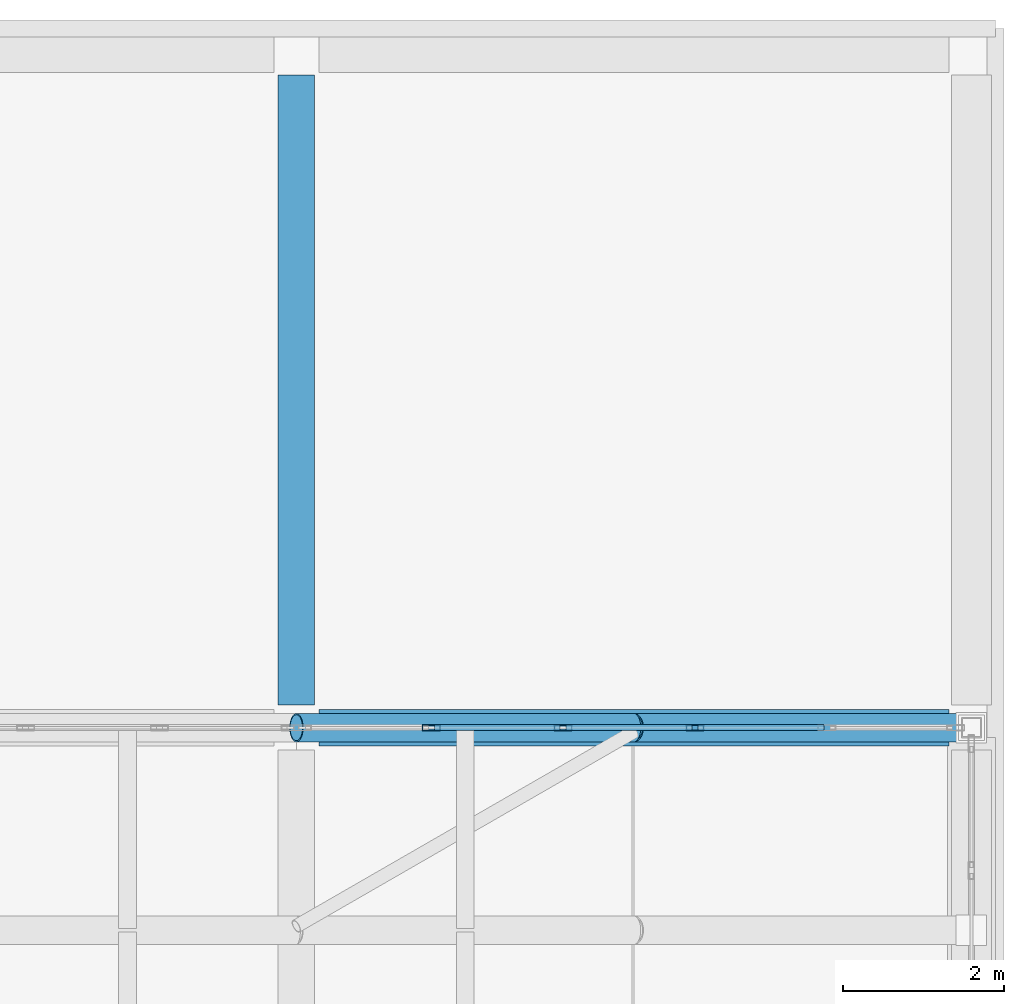
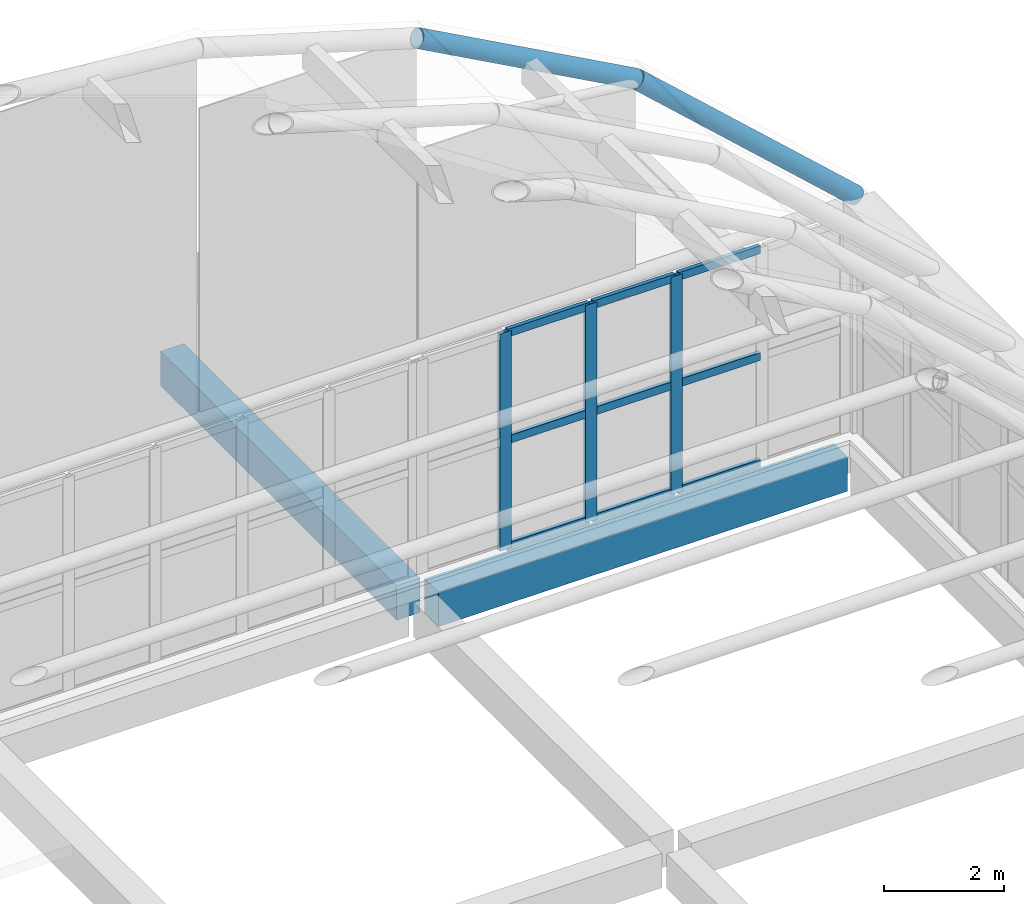
# One storey, part 19 of 26: 12 members, 4 beams, 1 element without a shape of its own.
"""IFC4 building model written with IfcOpenShell, lengths in metres."""

import ifcopenshell
import ifcopenshell.guid

model = None  # the IFC model being written
_history = None  # IfcOwnerHistory: only IFC2X3 demands one
_inside = {}  # id of a spatial element -> (the spatial element, [elements in it])
_under = {}  # id of a project, library or spatial element -> (it, [spatial elements below it])
_declared = {}  # id of a project -> (the project, [libraries it declares])
_typed = {}  # id of a type object -> (the type object, [elements of that type])
_made_of = {}  # id of a material, layer set ... -> (it, [elements and type objects made of it])


def new_model(schema):
    """Start an empty IFC model of exactly this schema.

    Asked for "IFC4X3", IfcOpenShell would pick the latest addendum, in which some entities
    have other attributes; the version numbers below select the first issue.
    IFC2X3 requires an IfcOwnerHistory on every rooted entity: one is made here for all.
    """
    global model, _history
    if schema == "IFC4X3":
        model = ifcopenshell.file(schema_version=(4, 3, 0, 0))
    else:
        model = ifcopenshell.file(schema=schema)
    _inside.clear()
    _under.clear()
    _declared.clear()
    _typed.clear()
    _made_of.clear()
    _history = None
    if model.schema == "IFC2X3":
        org = make("IfcOrganization", Name="unknown")
        user = make(
            "IfcPersonAndOrganization",
            ThePerson=make("IfcPerson", FamilyName="unknown"),
            TheOrganization=org,
        )
        app = make(
            "IfcApplication",
            ApplicationDeveloper=org,
            Version="unknown",
            ApplicationFullName="unknown",
            ApplicationIdentifier="unknown",
        )
        _history = make(
            "IfcOwnerHistory",
            OwningUser=user,
            OwningApplication=app,
            ChangeAction="ADDED",
            CreationDate=0,
        )
    return model


def make(cls, **values):
    """One entity of the class cls with the attributes given. An attribute that is None is left unset."""
    return model.create_entity(
        cls, **{name: value for name, value in values.items() if value is not None}
    )


def rooted(cls, **values):
    """An entity with a GlobalId (a new one), such as an element, a storey or a relation."""
    return make(cls, GlobalId=ifcopenshell.guid.new(), OwnerHistory=_history, **values)


def si_unit(unit_type, name, prefix=None):
    """IfcSIUnit, for example si_unit("LENGTHUNIT", "METRE", prefix="MILLI")."""
    return make("IfcSIUnit", UnitType=unit_type, Prefix=prefix, Name=name)


def assignment(units):
    """IfcUnitAssignment: the units of a project."""
    return None if units is None else make("IfcUnitAssignment", Units=units)


def point(xyz):
    """IfcCartesianPoint."""
    return None if xyz is None else make("IfcCartesianPoint", Coordinates=xyz)


def direction(xyz):
    """IfcDirection."""
    return None if xyz is None else make("IfcDirection", DirectionRatios=xyz)


def frame(location, z_axis=None, x_axis=None):
    """IfcAxis2Placement3D, a coordinate frame: its origin and axes. An axis left out is left unset."""
    return make(
        "IfcAxis2Placement3D",
        Location=point(location),
        Axis=direction(z_axis),
        RefDirection=direction(x_axis),
    )


def frame_2d(location, x_axis=None):
    """IfcAxis2Placement2D, a coordinate frame in the plane: its origin and x axis."""
    return make(
        "IfcAxis2Placement2D", Location=point(location), RefDirection=direction(x_axis)
    )


def origin():
    """The frame at (0, 0, 0) with its axes left unset."""
    return frame((0.0, 0.0, 0.0))


def origin_2d():
    """The frame at (0, 0) in the plane with its x axis left unset."""
    return frame_2d((0.0, 0.0))


def place(relative_to, where):
    """IfcLocalPlacement: puts the frame where relative to a parent placement (None: the world)."""
    return make(
        "IfcLocalPlacement", PlacementRelTo=relative_to, RelativePlacement=where
    )


def context(
    kind, dimensions, precision=None, world=None, true_north=None, identifier=None
):
    """IfcGeometricRepresentationContext, for example the 3D "Model" context."""
    return make(
        "IfcGeometricRepresentationContext",
        ContextIdentifier=identifier,
        ContextType=kind,
        CoordinateSpaceDimension=dimensions,
        Precision=precision,
        WorldCoordinateSystem=world,
        TrueNorth=true_north,
    )


def subcontext(parent, identifier, kind, view, scale=None):
    """IfcGeometricRepresentationSubContext, for example "Body" below "Model"."""
    return make(
        "IfcGeometricRepresentationSubContext",
        ContextIdentifier=identifier,
        ContextType=kind,
        ParentContext=parent,
        TargetScale=scale,
        TargetView=view,
    )


def project(units=None, contexts=None):
    """IfcProject with its units and contexts."""
    return rooted(
        "IfcProject",
        Name="project",
        RepresentationContexts=contexts,
        UnitsInContext=assignment(units),
    )


def spatial(cls, under=None, at=None, **own):
    """A site, building, storey or space (cls), placed at a placement, below another one or the project."""
    s = rooted(cls, ObjectPlacement=at, **own)
    if under is not None:
        _under.setdefault(under.id(), (under, []))[1].append(s)
    return s


def profile(cls, at=None, kind="AREA", **sizes):
    """A parametric profile (cls). Its sizes go by their IFC names, for example OverallWidth=200.0."""
    return make(cls, ProfileType=kind, Position=at, **sizes)


def rectangle(**sizes):
    """IfcRectangleProfileDef."""
    return profile("IfcRectangleProfileDef", **sizes)


def hollow_rectangle(**sizes):
    """IfcRectangleHollowProfileDef."""
    return profile("IfcRectangleHollowProfileDef", **sizes)


def hollow_circle(**sizes):
    """IfcCircleHollowProfileDef."""
    return profile("IfcCircleHollowProfileDef", **sizes)


def extrude(swept, where, along, depth):
    """IfcExtrudedAreaSolid: the profile swept, set in the frame where, extruded along a direction by depth."""
    return make(
        "IfcExtrudedAreaSolid",
        SweptArea=swept,
        Position=where,
        ExtrudedDirection=direction(along),
        Depth=depth,
    )


def shape(context_of_items, identifier, shape_type, items):
    """IfcShapeRepresentation: the items that make up one representation, for example the "Body"."""
    return make(
        "IfcShapeRepresentation",
        ContextOfItems=context_of_items,
        RepresentationIdentifier=identifier,
        RepresentationType=shape_type,
        Items=items,
    )


def material(Name=None, Category=None):
    """IfcMaterial."""
    return make("IfcMaterial", Name=Name, Category=Category)


def layer(
    of_material, thickness, ventilated=None, Name=None, Category=None, Priority=None
):
    """IfcMaterialLayer: one layer of a wall or slab, of a material (None: an air gap)."""
    return make(
        "IfcMaterialLayer",
        Material=of_material,
        LayerThickness=thickness,
        IsVentilated=ventilated,
        Name=Name,
        Category=Category,
        Priority=Priority,
    )


def layer_set(layers, Name=None):
    """IfcMaterialLayerSet."""
    return make("IfcMaterialLayerSet", MaterialLayers=layers, LayerSetName=Name)


def material_profile(
    of_material, cross_section, Name=None, Category=None, Priority=None
):
    """IfcMaterialProfile: a cross section and its material."""
    return make(
        "IfcMaterialProfile",
        Name=Name,
        Material=of_material,
        Profile=cross_section,
        Priority=Priority,
        Category=Category,
    )


def profile_set(profiles, Name=None, composite=None):
    """IfcMaterialProfileSet."""
    return make(
        "IfcMaterialProfileSet",
        Name=Name,
        MaterialProfiles=profiles,
        CompositeProfile=composite,
    )


def made_of(thing, what):
    """Note that an element or type object is made of a material, layer set ...; save() writes the relation."""
    if what is not None:
        _made_of.setdefault(what.id(), (what, []))[1].append(thing)
    return thing


def type_object(cls, material=None, **own):
    """A type object (cls), such as IfcWallType, which elements share."""
    return made_of(rooted(cls, **own), material)


def element(
    cls,
    number,
    at=None,
    inside=None,
    cuts=None,
    type_object=None,
    material=None,
    context=None,
    identifier="Body",
    shape_type=None,
    held_by="IfcProductDefinitionShape",
    body=None,
    shapes=None,
    **own,
):
    """One element of the class cls, such as IfcWall. Its Tag is "e" and its number.

    at: its placement. inside: the storey or other place that contains it. cuts: it is an
    opening in that element (IfcRelVoidsElement). A single representation is given by context,
    identifier, shape_type and body (its items); several are given by shapes. held_by: the class
    of the entity that holds the representations. save() writes the other relations.
    """
    e = rooted(cls, Tag="e%d" % number, ObjectPlacement=at, **own)
    if body is not None:
        shapes = [shape(context, identifier, shape_type, body)]
    if shapes is not None:
        e.Representation = make(held_by, Representations=shapes)
    if inside is not None:
        _inside.setdefault(inside.id(), (inside, []))[1].append(e)
    if cuts is not None:
        rooted(
            "IfcRelVoidsElement", RelatingBuildingElement=cuts, RelatedOpeningElement=e
        )
    if type_object is not None:
        _typed.setdefault(type_object.id(), (type_object, []))[1].append(e)
    return made_of(e, material)


def aggregate(whole, parts):
    """IfcRelAggregates: a whole, such as a stair, and the parts it consists of."""
    return rooted("IfcRelAggregates", RelatingObject=whole, RelatedObjects=parts)


def save(model, path):
    """Write the relations noted so far, then the file.

    IfcRelAggregates (storeys below a building ...), IfcRelContainedInSpatialStructure (elements
    in a storey), IfcRelDefinesByType, IfcRelAssociatesMaterial and IfcRelDeclares: one each for
    every whole, place, type object, material and project.
    """
    for whole, parts in _under.values():
        aggregate(whole, parts)
    for where, things in _inside.values():
        rooted(
            "IfcRelContainedInSpatialStructure",
            RelatedElements=things,
            RelatingStructure=where,
        )
    for kind, things in _typed.values():
        rooted("IfcRelDefinesByType", RelatedObjects=things, RelatingType=kind)
    for what, things in _made_of.values():
        rooted("IfcRelAssociatesMaterial", RelatedObjects=things, RelatingMaterial=what)
    for by, libraries in _declared.values():
        rooted("IfcRelDeclares", RelatingContext=by, RelatedDefinitions=libraries)
    model.write(path)


model = new_model("IFC4")

# Units and contexts
model_context = context("Model", 3, precision=1e-05, world=origin(), true_north=direction((0.0, 1.0)))
body_context = subcontext(model_context, "Body", "Model", "MODEL_VIEW")
ifc_project = project(units=[si_unit("LENGTHUNIT", "METRE"), si_unit("AREAUNIT", "SQUARE_METRE"), si_unit("VOLUMEUNIT", "CUBIC_METRE"), si_unit("PLANEANGLEUNIT", "RADIAN"), si_unit("MASSUNIT", "GRAM", prefix="KILO")], contexts=[model_context])

# Site, building, storey
site_placement = place(None, origin())
site = spatial("IfcSite", under=ifc_project, at=site_placement, CompositionType="ELEMENT")
building_placement = place(site_placement, origin())
building = spatial("IfcBuilding", under=site, at=building_placement, Name="Xazarin Passage Department Store", CompositionType="ELEMENT")
storey_placement = place(building_placement, frame((0.0, 0.0, 36.89990234375)))
storey = spatial("IfcBuildingStorey", under=building, at=storey_placement, Name="RF", CompositionType="ELEMENT", Elevation=36.89990234375)

# Curtain wall, members
ifc_material_1 = material(Name="Bronze anodised aluminium", Category="aluminium")
ifc_layer = layer(ifc_material_1, 0.199951171875)
ifc_layer_set = layer_set([ifc_layer], Name="Bronze anodised aluminium")
curtain_wall_type = type_object("IfcCurtainWallType", Name="ARC-CW-VIT2", PredefinedType="NOTDEFINED", material=ifc_layer_set)
curtain_wall_placement = place(storey_placement, origin())
curtain_wall = element("IfcCurtainWall", 1, at=curtain_wall_placement, inside=storey, type_object=curtain_wall_type, Name="RF V1 Atrium Lantern Curtain Wall 14", PredefinedType="NOTDEFINED")
ifc_material_profile_1 = material_profile(ifc_material_1, hollow_rectangle(XDim=0.074951171875, YDim=0.219970703125, WallThickness=0.0048828125, at=origin_2d()), Name="ALU 75x220")
ifc_profile_set_1 = profile_set([ifc_material_profile_1], Name="Bronze anodised aluminium")
member_type_1 = type_object("IfcMemberType", Name="ARC-CWM-75x220", PredefinedType="MULLION", material=ifc_profile_set_1)
member_1_placement = place(storey_placement, frame((26.8798828125, 101.60009765625, 0.0), z_axis=(0.0, 0.0, 1.0), x_axis=(0.0, 1.0, 0.0)))
member_1 = element("IfcMember", 2, at=member_1_placement, type_object=member_type_1, Name="CW2 mullion 2", PredefinedType="MULLION", context=body_context, shape_type="SweptSolid", body=[
    extrude(hollow_rectangle(XDim=0.074951171875, YDim=0.219970703125, WallThickness=0.0048828125, at=origin_2d()), origin(), (0.0, 0.0, 1.0), 4.404296875),
])
member_2_placement = place(storey_placement, frame((28.52001953125, 101.60009765625, 0.0), z_axis=(0.0, 0.0, 1.0), x_axis=(0.0, 1.0, 0.0)))
member_2 = element("IfcMember", 3, at=member_2_placement, type_object=member_type_1, Name="CW2 mullion 3", PredefinedType="MULLION", context=body_context, shape_type="SweptSolid", body=[
    extrude(hollow_rectangle(XDim=0.074951171875, YDim=0.219970703125, WallThickness=0.0048828125, at=origin_2d()), origin(), (0.0, 0.0, 1.0), 4.404296875),
])
member_3_placement = place(storey_placement, frame((30.159912109375, 101.60009765625, 0.0), z_axis=(0.0, 0.0, 1.0), x_axis=(0.0, 1.0, 0.0)))
member_3 = element("IfcMember", 4, at=member_3_placement, type_object=member_type_1, Name="CW2 mullion 4", PredefinedType="MULLION", context=body_context, shape_type="SweptSolid", body=[
    extrude(hollow_rectangle(XDim=0.074951171875, YDim=0.219970703125, WallThickness=0.0048828125, at=origin_2d()), origin(), (0.0, 0.0, 1.0), 4.404296875),
])
ifc_material_profile_2 = material_profile(ifc_material_1, hollow_rectangle(XDim=0.074951171875, YDim=0.159912109375, WallThickness=0.00439453125, at=origin_2d()), Name="ALU 75x160")
ifc_profile_set_2 = profile_set([ifc_material_profile_2], Name="Bronze anodised aluminium")
member_type_2 = type_object("IfcMemberType", Name="ARC-CWT-75x160", PredefinedType="USERDEFINED", material=ifc_profile_set_2)
member_4_placement = place(storey_placement, frame((26.91748046875, 101.60009765625, 0.03759765625), z_axis=(1.0, 0.0, 0.0), x_axis=(0.0, 1.0, 0.0)))
member_4 = element("IfcMember", 5, at=member_4_placement, type_object=member_type_2, Name="CW2 transom 2.1", ObjectType="TRANSOM", PredefinedType="USERDEFINED", context=body_context, shape_type="SweptSolid", body=[
    extrude(hollow_rectangle(XDim=0.074951171875, YDim=0.159912109375, WallThickness=0.00439453125, at=origin_2d()), origin(), (0.0, 0.0, 1.0), 1.56494140625),
])
member_5_placement = place(storey_placement, frame((26.91748046875, 101.60009765625, 2.2021484375), z_axis=(1.0, 0.0, 0.0), x_axis=(0.0, 1.0, 0.0)))
member_5 = element("IfcMember", 6, at=member_5_placement, type_object=member_type_2, Name="CW2 transom 2.2", ObjectType="TRANSOM", PredefinedType="USERDEFINED", context=body_context, shape_type="SweptSolid", body=[
    extrude(hollow_rectangle(XDim=0.074951171875, YDim=0.159912109375, WallThickness=0.00439453125, at=origin_2d()), origin(), (0.0, 0.0, 1.0), 1.56494140625),
])
member_6_placement = place(storey_placement, frame((26.91748046875, 101.60009765625, 4.36669921875), z_axis=(1.0, 0.0, 0.0), x_axis=(0.0, 1.0, 0.0)))
member_6 = element("IfcMember", 7, at=member_6_placement, type_object=member_type_2, Name="CW2 transom 2.3", ObjectType="TRANSOM", PredefinedType="USERDEFINED", context=body_context, shape_type="SweptSolid", body=[
    extrude(hollow_rectangle(XDim=0.074951171875, YDim=0.159912109375, WallThickness=0.00439453125, at=origin_2d()), origin(), (0.0, 0.0, 1.0), 1.56494140625),
])
member_7_placement = place(storey_placement, frame((28.5576171875, 101.60009765625, 0.03759765625), z_axis=(1.0, 0.0, 0.0), x_axis=(0.0, 1.0, 0.0)))
member_7 = element("IfcMember", 8, at=member_7_placement, type_object=member_type_2, Name="CW2 transom 3.1", ObjectType="TRANSOM", PredefinedType="USERDEFINED", context=body_context, shape_type="SweptSolid", body=[
    extrude(hollow_rectangle(XDim=0.074951171875, YDim=0.159912109375, WallThickness=0.00439453125, at=origin_2d()), origin(), (0.0, 0.0, 1.0), 1.56494140625),
])
member_8_placement = place(storey_placement, frame((28.5576171875, 101.60009765625, 2.2021484375), z_axis=(1.0, 0.0, 0.0), x_axis=(0.0, 1.0, 0.0)))
member_8 = element("IfcMember", 9, at=member_8_placement, type_object=member_type_2, Name="CW2 transom 3.2", ObjectType="TRANSOM", PredefinedType="USERDEFINED", context=body_context, shape_type="SweptSolid", body=[
    extrude(hollow_rectangle(XDim=0.074951171875, YDim=0.159912109375, WallThickness=0.00439453125, at=origin_2d()), origin(), (0.0, 0.0, 1.0), 1.56494140625),
])
member_9_placement = place(storey_placement, frame((28.5576171875, 101.60009765625, 4.36669921875), z_axis=(1.0, 0.0, 0.0), x_axis=(0.0, 1.0, 0.0)))
member_9 = element("IfcMember", 10, at=member_9_placement, type_object=member_type_2, Name="CW2 transom 3.3", ObjectType="TRANSOM", PredefinedType="USERDEFINED", context=body_context, shape_type="SweptSolid", body=[
    extrude(hollow_rectangle(XDim=0.074951171875, YDim=0.159912109375, WallThickness=0.00439453125, at=origin_2d()), origin(), (0.0, 0.0, 1.0), 1.56494140625),
])
member_10_placement = place(storey_placement, frame((30.197509765625, 101.60009765625, 0.03759765625), z_axis=(1.0, 0.0, 0.0), x_axis=(0.0, 1.0, 0.0)))
member_10 = element("IfcMember", 11, at=member_10_placement, type_object=member_type_2, Name="CW2 transom 4.1", ObjectType="TRANSOM", PredefinedType="USERDEFINED", context=body_context, shape_type="SweptSolid", body=[
    extrude(hollow_rectangle(XDim=0.074951171875, YDim=0.159912109375, WallThickness=0.00439453125, at=origin_2d()), origin(), (0.0, 0.0, 1.0), 1.56494140625),
])
member_11_placement = place(storey_placement, frame((30.197509765625, 101.60009765625, 2.2021484375), z_axis=(1.0, 0.0, 0.0), x_axis=(0.0, 1.0, 0.0)))
member_11 = element("IfcMember", 12, at=member_11_placement, type_object=member_type_2, Name="CW2 transom 4.2", ObjectType="TRANSOM", PredefinedType="USERDEFINED", context=body_context, shape_type="SweptSolid", body=[
    extrude(hollow_rectangle(XDim=0.074951171875, YDim=0.159912109375, WallThickness=0.00439453125, at=origin_2d()), origin(), (0.0, 0.0, 1.0), 1.56494140625),
])
member_12_placement = place(storey_placement, frame((30.197509765625, 101.60009765625, 4.36669921875), z_axis=(1.0, 0.0, 0.0), x_axis=(0.0, 1.0, 0.0)))
member_12 = element("IfcMember", 13, at=member_12_placement, type_object=member_type_2, Name="CW2 transom 4.3", ObjectType="TRANSOM", PredefinedType="USERDEFINED", context=body_context, shape_type="SweptSolid", body=[
    extrude(hollow_rectangle(XDim=0.074951171875, YDim=0.159912109375, WallThickness=0.00439453125, at=origin_2d()), origin(), (0.0, 0.0, 1.0), 1.56494140625),
])
aggregate(curtain_wall, [member_1, member_2, member_3, member_4, member_5, member_6, member_7, member_8, member_9, member_10, member_11, member_12])

# Beams
ifc_material_2 = material(Name="Steel S355", Category="steel")
ifc_material_profile_3 = material_profile(ifc_material_2, hollow_circle(Radius=0.177734375, WallThickness=0.01611328125, at=origin_2d()), Name="CHS 355.6x16")
ifc_profile_set_3 = profile_set([ifc_material_profile_3], Name="Steel S355")
beam_type_1 = type_object("IfcBeamType", Name="STR-BM-AR355", PredefinedType="BEAM", material=ifc_profile_set_3)
beam_1_placement = place(storey_placement, frame((25.199951171875, 101.60009765625, 10.933349609375), z_axis=(0.877197007336, 0.0, -0.480130617978), x_axis=(0.0, 1.0, 0.0)))
element("IfcBeam", 14, at=beam_1_placement, inside=storey, type_object=beam_type_1, Name="V1V Primary Arch Rib 11.7", PredefinedType="BEAM", context=body_context, shape_type="SweptSolid", body=[
    extrude(hollow_circle(Radius=0.177734375, WallThickness=0.01611328125, at=origin_2d()), origin(), (0.0, 0.0, 1.0), 4.787841796875),
])
beam_2_placement = place(storey_placement, frame((29.39990234375, 101.60009765625, 8.634521484375), z_axis=(0.7388916912, 0.0, -0.673824211999), x_axis=(0.0, 1.0, 0.0)))
element("IfcBeam", 15, at=beam_2_placement, inside=storey, type_object=beam_type_1, Name="V1V Primary Arch Rib 11.8", PredefinedType="BEAM", context=body_context, shape_type="SweptSolid", body=[
    extrude(hollow_circle(Radius=0.177734375, WallThickness=0.01611328125, at=origin_2d()), origin(), (0.0, 0.0, 1.0), 5.6845703125),
])
ifc_material_3 = material(Name="Concrete C35/45", Category="concrete")
ifc_material_profile_4 = material_profile(ifc_material_3, rectangle(XDim=0.449951171875, YDim=0.699951171875, at=origin_2d()), Name="RC 450x700")
ifc_profile_set_4 = profile_set([ifc_material_profile_4], Name="Concrete C35/45")
beam_type_2 = type_object("IfcBeamType", Name="STR-BM-G450x700", PredefinedType="BEAM", material=ifc_profile_set_4)
for number, where, z_axis, x_axis, name in (
    (16, (25.47998046875, 101.60009765625, -0.60986328125), (1.0, 0.0, 0.0), (0.0, 1.0, 0.0), "RF Grid Beam P/4-5"),
    (17, (25.199951171875, 101.8798828125, -0.60986328125), (0.0, 1.0, 0.0), (-1.0, 0.0, 0.0), "RF Grid Beam 4/P-Q"),
):
    element("IfcBeam", number, at=place(storey_placement, frame(where, z_axis=z_axis, x_axis=x_axis)), inside=storey, type_object=beam_type_2, Name=name, PredefinedType="BEAM", context=body_context, shape_type="SweptSolid", body=[
        extrude(rectangle(XDim=0.449951171875, YDim=0.699951171875, at=origin_2d()), origin(), (0.0, 0.0, 1.0), 7.840087890625),
    ])

save(model, "model.ifc")
